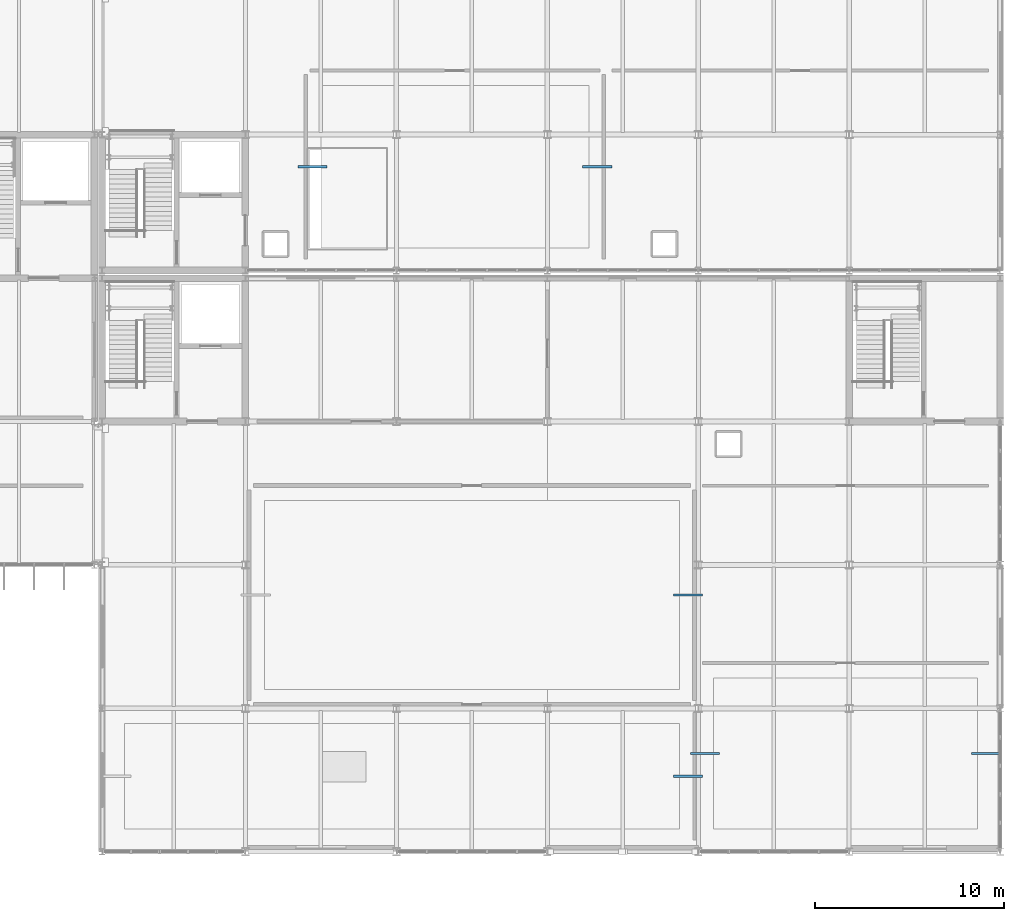
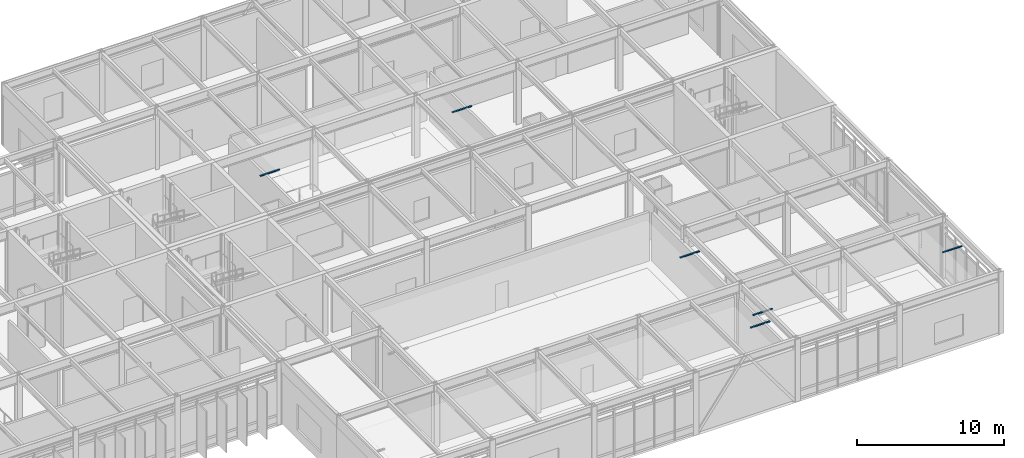
# One storey, part 81 of 94: 6 discrete accessories.
"""IFC4 building model written with IfcOpenShell, lengths in metres."""

import ifcopenshell
import ifcopenshell.guid

model = None  # the IFC model being written
_history = None  # IfcOwnerHistory: only IFC2X3 demands one
_inside = {}  # id of a spatial element -> (the spatial element, [elements in it])
_under = {}  # id of a project, library or spatial element -> (it, [spatial elements below it])
_declared = {}  # id of a project -> (the project, [libraries it declares])
_typed = {}  # id of a type object -> (the type object, [elements of that type])
_made_of = {}  # id of a material, layer set ... -> (it, [elements and type objects made of it])


def new_model(schema):
    """Start an empty IFC model of exactly this schema.

    Asked for "IFC4X3", IfcOpenShell would pick the latest addendum, in which some entities
    have other attributes; the version numbers below select the first issue.
    IFC2X3 requires an IfcOwnerHistory on every rooted entity: one is made here for all.
    """
    global model, _history
    if schema == "IFC4X3":
        model = ifcopenshell.file(schema_version=(4, 3, 0, 0))
    else:
        model = ifcopenshell.file(schema=schema)
    _inside.clear()
    _under.clear()
    _declared.clear()
    _typed.clear()
    _made_of.clear()
    _history = None
    if model.schema == "IFC2X3":
        org = make("IfcOrganization", Name="unknown")
        user = make(
            "IfcPersonAndOrganization",
            ThePerson=make("IfcPerson", FamilyName="unknown"),
            TheOrganization=org,
        )
        app = make(
            "IfcApplication",
            ApplicationDeveloper=org,
            Version="unknown",
            ApplicationFullName="unknown",
            ApplicationIdentifier="unknown",
        )
        _history = make(
            "IfcOwnerHistory",
            OwningUser=user,
            OwningApplication=app,
            ChangeAction="ADDED",
            CreationDate=0,
        )
    return model


def make(cls, **values):
    """One entity of the class cls with the attributes given. An attribute that is None is left unset."""
    return model.create_entity(
        cls, **{name: value for name, value in values.items() if value is not None}
    )


def rooted(cls, **values):
    """An entity with a GlobalId (a new one), such as an element, a storey or a relation."""
    return make(cls, GlobalId=ifcopenshell.guid.new(), OwnerHistory=_history, **values)


def si_unit(unit_type, name, prefix=None):
    """IfcSIUnit, for example si_unit("LENGTHUNIT", "METRE", prefix="MILLI")."""
    return make("IfcSIUnit", UnitType=unit_type, Prefix=prefix, Name=name)


def assignment(units):
    """IfcUnitAssignment: the units of a project."""
    return None if units is None else make("IfcUnitAssignment", Units=units)


def point(xyz):
    """IfcCartesianPoint."""
    return None if xyz is None else make("IfcCartesianPoint", Coordinates=xyz)


def direction(xyz):
    """IfcDirection."""
    return None if xyz is None else make("IfcDirection", DirectionRatios=xyz)


def frame(location, z_axis=None, x_axis=None):
    """IfcAxis2Placement3D, a coordinate frame: its origin and axes. An axis left out is left unset."""
    return make(
        "IfcAxis2Placement3D",
        Location=point(location),
        Axis=direction(z_axis),
        RefDirection=direction(x_axis),
    )


def frame_2d(location, x_axis=None):
    """IfcAxis2Placement2D, a coordinate frame in the plane: its origin and x axis."""
    return make(
        "IfcAxis2Placement2D", Location=point(location), RefDirection=direction(x_axis)
    )


def origin():
    """The frame at (0, 0, 0) with its axes left unset."""
    return frame((0.0, 0.0, 0.0))


def origin_2d():
    """The frame at (0, 0) in the plane with its x axis left unset."""
    return frame_2d((0.0, 0.0))


def place(relative_to, where):
    """IfcLocalPlacement: puts the frame where relative to a parent placement (None: the world)."""
    return make(
        "IfcLocalPlacement", PlacementRelTo=relative_to, RelativePlacement=where
    )


def context(
    kind, dimensions, precision=None, world=None, true_north=None, identifier=None
):
    """IfcGeometricRepresentationContext, for example the 3D "Model" context."""
    return make(
        "IfcGeometricRepresentationContext",
        ContextIdentifier=identifier,
        ContextType=kind,
        CoordinateSpaceDimension=dimensions,
        Precision=precision,
        WorldCoordinateSystem=world,
        TrueNorth=true_north,
    )


def subcontext(parent, identifier, kind, view, scale=None):
    """IfcGeometricRepresentationSubContext, for example "Body" below "Model"."""
    return make(
        "IfcGeometricRepresentationSubContext",
        ContextIdentifier=identifier,
        ContextType=kind,
        ParentContext=parent,
        TargetScale=scale,
        TargetView=view,
    )


def project(units=None, contexts=None):
    """IfcProject with its units and contexts."""
    return rooted(
        "IfcProject",
        Name="project",
        RepresentationContexts=contexts,
        UnitsInContext=assignment(units),
    )


def spatial(cls, under=None, at=None, **own):
    """A site, building, storey or space (cls), placed at a placement, below another one or the project."""
    s = rooted(cls, ObjectPlacement=at, **own)
    if under is not None:
        _under.setdefault(under.id(), (under, []))[1].append(s)
    return s


def profile(cls, at=None, kind="AREA", **sizes):
    """A parametric profile (cls). Its sizes go by their IFC names, for example OverallWidth=200.0."""
    return make(cls, ProfileType=kind, Position=at, **sizes)


def rectangle(**sizes):
    """IfcRectangleProfileDef."""
    return profile("IfcRectangleProfileDef", **sizes)


def extrude(swept, where, along, depth):
    """IfcExtrudedAreaSolid: the profile swept, set in the frame where, extruded along a direction by depth."""
    return make(
        "IfcExtrudedAreaSolid",
        SweptArea=swept,
        Position=where,
        ExtrudedDirection=direction(along),
        Depth=depth,
    )


def shape(context_of_items, identifier, shape_type, items):
    """IfcShapeRepresentation: the items that make up one representation, for example the "Body"."""
    return make(
        "IfcShapeRepresentation",
        ContextOfItems=context_of_items,
        RepresentationIdentifier=identifier,
        RepresentationType=shape_type,
        Items=items,
    )


def material(Name=None, Category=None):
    """IfcMaterial."""
    return make("IfcMaterial", Name=Name, Category=Category)


def layer(
    of_material, thickness, ventilated=None, Name=None, Category=None, Priority=None
):
    """IfcMaterialLayer: one layer of a wall or slab, of a material (None: an air gap)."""
    return make(
        "IfcMaterialLayer",
        Material=of_material,
        LayerThickness=thickness,
        IsVentilated=ventilated,
        Name=Name,
        Category=Category,
        Priority=Priority,
    )


def layer_set(layers, Name=None):
    """IfcMaterialLayerSet."""
    return make("IfcMaterialLayerSet", MaterialLayers=layers, LayerSetName=Name)


def made_of(thing, what):
    """Note that an element or type object is made of a material, layer set ...; save() writes the relation."""
    if what is not None:
        _made_of.setdefault(what.id(), (what, []))[1].append(thing)
    return thing


def type_object(cls, material=None, **own):
    """A type object (cls), such as IfcWallType, which elements share."""
    return made_of(rooted(cls, **own), material)


def element(
    cls,
    number,
    at=None,
    inside=None,
    cuts=None,
    type_object=None,
    material=None,
    context=None,
    identifier="Body",
    shape_type=None,
    held_by="IfcProductDefinitionShape",
    body=None,
    shapes=None,
    **own,
):
    """One element of the class cls, such as IfcWall. Its Tag is "e" and its number.

    at: its placement. inside: the storey or other place that contains it. cuts: it is an
    opening in that element (IfcRelVoidsElement). A single representation is given by context,
    identifier, shape_type and body (its items); several are given by shapes. held_by: the class
    of the entity that holds the representations. save() writes the other relations.
    """
    e = rooted(cls, Tag="e%d" % number, ObjectPlacement=at, **own)
    if body is not None:
        shapes = [shape(context, identifier, shape_type, body)]
    if shapes is not None:
        e.Representation = make(held_by, Representations=shapes)
    if inside is not None:
        _inside.setdefault(inside.id(), (inside, []))[1].append(e)
    if cuts is not None:
        rooted(
            "IfcRelVoidsElement", RelatingBuildingElement=cuts, RelatedOpeningElement=e
        )
    if type_object is not None:
        _typed.setdefault(type_object.id(), (type_object, []))[1].append(e)
    return made_of(e, material)


def aggregate(whole, parts):
    """IfcRelAggregates: a whole, such as a stair, and the parts it consists of."""
    return rooted("IfcRelAggregates", RelatingObject=whole, RelatedObjects=parts)


def save(model, path):
    """Write the relations noted so far, then the file.

    IfcRelAggregates (storeys below a building ...), IfcRelContainedInSpatialStructure (elements
    in a storey), IfcRelDefinesByType, IfcRelAssociatesMaterial and IfcRelDeclares: one each for
    every whole, place, type object, material and project.
    """
    for whole, parts in _under.values():
        aggregate(whole, parts)
    for where, things in _inside.values():
        rooted(
            "IfcRelContainedInSpatialStructure",
            RelatedElements=things,
            RelatingStructure=where,
        )
    for kind, things in _typed.values():
        rooted("IfcRelDefinesByType", RelatedObjects=things, RelatingType=kind)
    for what, things in _made_of.values():
        rooted("IfcRelAssociatesMaterial", RelatedObjects=things, RelatingMaterial=what)
    for by, libraries in _declared.values():
        rooted("IfcRelDeclares", RelatingContext=by, RelatedDefinitions=libraries)
    model.write(path)


model = new_model("IFC4")

# Units and contexts
model_context = context("Model", 3, precision=1e-05, world=origin(), true_north=direction((0.0, 1.0)))
body_context = subcontext(model_context, "Body", "Model", "MODEL_VIEW")
ifc_project = project(units=[si_unit("LENGTHUNIT", "METRE"), si_unit("AREAUNIT", "SQUARE_METRE"), si_unit("VOLUMEUNIT", "CUBIC_METRE"), si_unit("PLANEANGLEUNIT", "RADIAN"), si_unit("MASSUNIT", "GRAM", prefix="KILO")], contexts=[model_context])

# Site, building, storey
site_placement = place(None, origin())
site = spatial("IfcSite", under=ifc_project, at=site_placement, CompositionType="ELEMENT")
building_placement = place(site_placement, origin())
building = spatial("IfcBuilding", under=site, at=building_placement, Name="Zulena Civic Courthouse", CompositionType="ELEMENT")
storey_placement = place(building_placement, frame((0.0, 0.0, 5.39990234375)))
storey = spatial("IfcBuildingStorey", under=building, at=storey_placement, Name="L01", CompositionType="ELEMENT", Elevation=5.39990234375)

# Discrete accessories
ifc_material = material(Name="Gold anodised architectural aluminium AA6063-T6", Category="aluminium")
ifc_layer = layer(ifc_material, 0.1201171875)
ifc_layer_set = layer_set([ifc_layer], Name="Gold anodised architectural aluminium AA6063-T6")
discrete_accessory_type = type_object("IfcDiscreteAccessoryType", Name="FinOutriggerBracket", PredefinedType="BRACKET", material=ifc_layer_set)
for number, where, z_axis, x_axis, name in (
    (1, (155.449951171875, 13.60009765625, 3.989990234375), (0.0, 0.0, 1.0), (1.0, 0.0, 0.0), "hng:ceil:L01:215:1"),
    (2, (155.449951171875, 4.0, 3.989990234375), (0.0, 0.0, 1.0), (1.0, 0.0, 0.0), "hng:ceil:L01:216:1"),
    (3, (156.35009765625, 5.199951171875, 3.989990234375), (0.0, 0.0, 1.0), (1.0, 0.0, 0.0), "hng:ceil:L01:217:0"),
    (4, (171.25, 5.199951171875, 3.989990234375), (0.0, 0.0, 1.0), (1.0, 0.0, 0.0), "hng:ceil:L01:217:1"),
    (5, (135.550048828125, 36.300048828125, 3.989990234375), (0.0, 0.0, 1.0), (1.0, 0.0, 0.0), "hng:ceil:L01:264:0"),
    (6, (150.64990234375, 36.300048828125, 3.989990234375), (0.0, 0.0, 1.0), (1.0, 0.0, 0.0), "hng:ceil:L01:264:1"),
):
    element("IfcDiscreteAccessory", number, at=place(storey_placement, frame(where, z_axis=z_axis, x_axis=x_axis)), inside=storey, type_object=discrete_accessory_type, Name=name, PredefinedType="BRACKET", context=body_context, shape_type="SweptSolid", body=[
        extrude(rectangle(XDim=1.550048828125, YDim=0.1201171875, at=origin_2d()), origin(), (0.0, 0.0, 1.0), 0.080078125),
    ])

save(model, "model.ifc")
